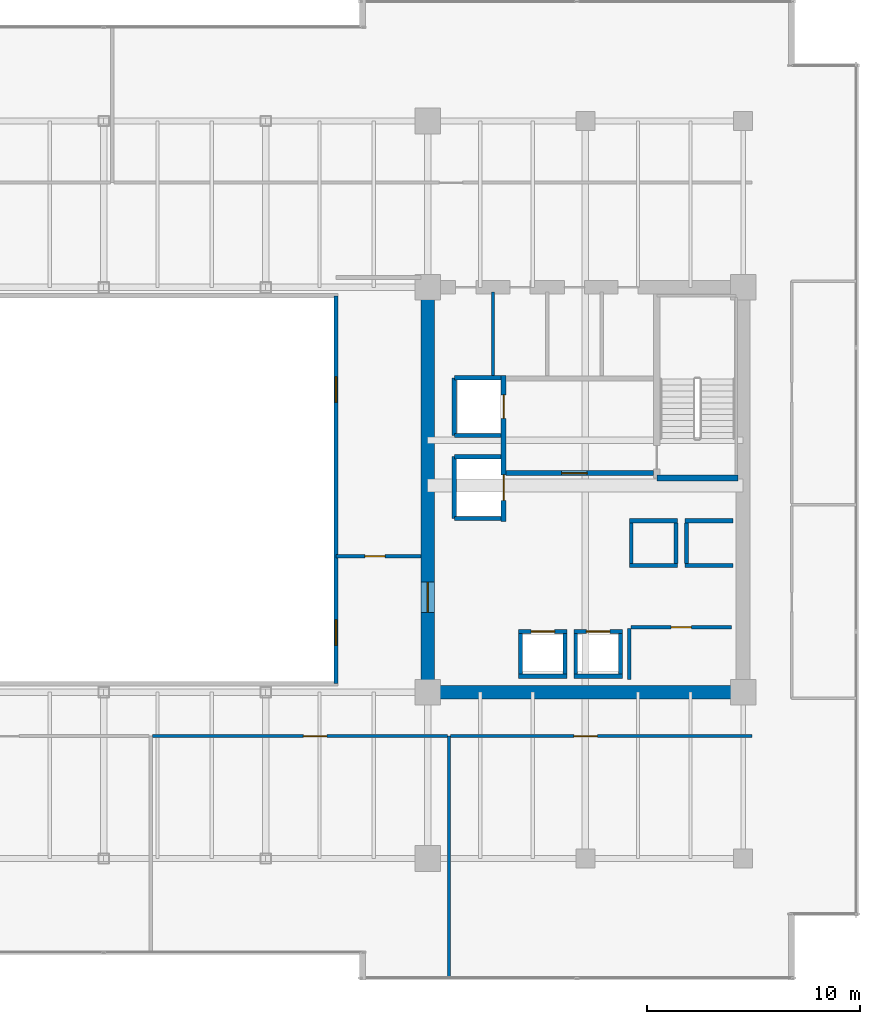
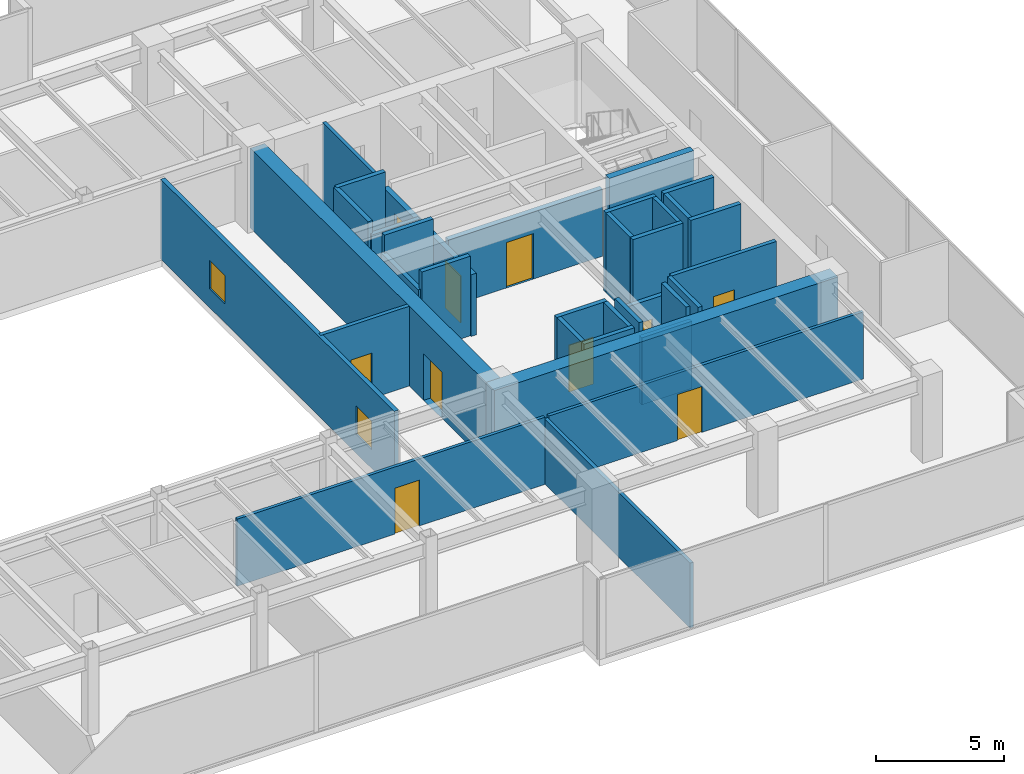
# One storey, part 26 of 30: 34 walls, 10 doors, 2 windows, 12 openings.
"""IFC4 building model written with IfcOpenShell, lengths in metres."""

from ifc_helpers import new_model, si_unit, direction, frame, frame_2d, origin, place, context, subcontext, project, spatial, rectangle, extrude, source, transform, mapped, material, layer, layer_set, type_object, type_shapes, element, fill, save


model = new_model("IFC4")

# Units and contexts
model_context = context("Model", 3, precision=1e-05, world=origin(), true_north=direction((0.0, 1.0)))
body_context = subcontext(model_context, "Body", "Model", "MODEL_VIEW")
ifc_project = project(units=[si_unit("LENGTHUNIT", "METRE"), si_unit("AREAUNIT", "SQUARE_METRE"), si_unit("VOLUMEUNIT", "CUBIC_METRE"), si_unit("PLANEANGLEUNIT", "RADIAN"), si_unit("MASSUNIT", "GRAM", prefix="KILO")], contexts=[model_context])

# Site, building, storey
site_placement = place(None, origin())
site = spatial("IfcSite", under=ifc_project, at=site_placement, CompositionType="ELEMENT")
building_placement = place(site_placement, origin())
building = spatial("IfcBuilding", under=site, at=building_placement, Name="Haelvirn Gate Laboratories", CompositionType="ELEMENT")
storey_placement = place(building_placement, frame((0.0, 0.0, 187.10009765625)))
storey = spatial("IfcBuildingStorey", under=building, at=storey_placement, Name="L45", CompositionType="ELEMENT", Elevation=187.10009765625)

# Wall
ifc_material_1 = material(Name="Double-layer acoustic gypsum laboratory partition", Category="gypsum")
ifc_layer_1 = layer(ifc_material_1, 0.159912109375, Name="IW-ACOUST-160")
ifc_layer_set_1 = layer_set([ifc_layer_1], Name="Double-layer acoustic gypsum laboratory partition")
wall_type_1 = type_object("IfcWallType", Name="IW-ACOUST-160", PredefinedType="PARTITIONING", material=ifc_layer_set_1)
wall_1_placement = place(storey_placement, frame((53.60009765625, 1.409912109375, 0.0), z_axis=(0.0, 0.0, 1.0), x_axis=(0.0, 1.0, 0.0)))
element("IfcWall", 1, at=wall_1_placement, inside=storey, type_object=wall_type_1, Name="L45 Interior Wall IW-L45-SDIV-04", PredefinedType="PARTITIONING", context=body_context, shape_type="SweptSolid", body=[
    extrude(rectangle(XDim=11.330078125, YDim=0.159912109375, at=frame_2d((5.6650390625, 0.0))), origin(), (0.0, 0.0, 1.0), 3.074951171875),
])

# Wall, opening, door
ifc_material_2 = material(Name="Fire-rated acoustic gypsum board partition", Category="gypsum")
ifc_layer_2 = layer(ifc_material_2, 0.175048828125, Name="IW-ACOUST-180")
ifc_layer_set_2 = layer_set([ifc_layer_2], Name="Fire-rated acoustic gypsum board partition")
wall_type_2 = type_object("IfcWallType", Name="IW-ACOUST-180", PredefinedType="PARTITIONING", material=ifc_layer_set_2)
wall_2_placement = place(storey_placement, frame((48.300048828125, 21.179931640625, 0.0), z_axis=(0.0, 0.0, 1.0), x_axis=(1.0, 0.0, 0.0)))
wall_2 = element("IfcWall", 2, at=wall_2_placement, inside=storey, type_object=wall_type_2, Name="L45 Interior Wall IW-L45-ASEM-S", PredefinedType="PARTITIONING", context=body_context, shape_type="SweptSolid", body=[
    extrude(rectangle(XDim=3.974853515625, YDim=0.175048828125, at=frame_2d((1.9873046875, 0.0))), origin(), (0.0, 0.0, 1.0), 3.789794921875),
])
opening_1_placement = place(wall_2_placement, frame((1.35009765625, 0.0, 0.0)))
opening_1 = element("IfcOpeningElement", 3, at=opening_1_placement, cuts=wall_2, Name="Opening FD4", PredefinedType="OPENING", context=body_context, shape_type="SweptSolid", body=[
    extrude(rectangle(XDim=0.949951171875, YDim=2.14990234375, at=frame_2d((0.47509765625, 1.074951171875))), frame((0.0, 0.09765625, 0.0), z_axis=(0.0, -1.0, 0.0), x_axis=(1.0, 0.0, 0.0)), (0.0, 0.0, 1.0), 0.195068359375),
])
ifc_material_3 = material(Name="Fire-rated steel SM355 core service door", Category="steel")
door_type_1 = type_object("IfcDoorType", Name="DR-FD-950", OperationType="NOTDEFINED", PredefinedType="DOOR", material=ifc_material_3)
shared_shape_1 = source(origin(), body_context, "Body", "SweptSolid", [
    extrude(rectangle(XDim=0.949951171875, YDim=2.14990234375, at=frame_2d((0.47509765625, 1.074951171875))), frame((0.0, 0.02490234375, 0.0), z_axis=(0.0, -1.0, 0.0), x_axis=(1.0, 0.0, 0.0)), (0.0, 0.0, 1.0), 0.050048828125),
])
type_shapes(door_type_1, [shared_shape_1])
door_1_placement = place(opening_1_placement, origin())
door_1 = element("IfcDoor", 4, at=door_1_placement, inside=storey, type_object=door_type_1, Name="L45 Atrium Bioinformatics Suite Door", OperationType="SINGLE_SWING_LEFT", OverallHeight=2.14990234375, OverallWidth=0.949951171875, PredefinedType="DOOR", context=body_context, shape_type="MappedRepresentation", body=[
    mapped(shared_shape_1, transform((0.0, 0.0, 0.0), scale=1.0)),
])
fill(opening_1, door_1)

# Wall, openings, windows
ifc_material_4 = material(Name="Tempered fire-rated borosilicate glass & anodised aluminium", Category="aluminium")
ifc_layer_3 = layer(ifc_material_4, 0.195068359375, Name="IW-GLAZ-200")
ifc_layer_set_3 = layer_set([ifc_layer_3], Name="Tempered fire-rated borosilicate glass & anodised aluminium")
wall_type_3 = type_object("IfcWallType", Name="IW-GLAZ-200", PredefinedType="SOLIDWALL", material=ifc_layer_set_3)
wall_3_placement = place(storey_placement, frame((48.300048828125, 15.199951171875, 0.0), z_axis=(0.0, 0.0, 1.0), x_axis=(0.0, 1.0, 0.0)))
wall_3 = element("IfcWall", 5, at=wall_3_placement, inside=storey, type_object=wall_type_3, Name="L45 Interior Wall IW-L45-ATRIUM-E", PredefinedType="SOLIDWALL", context=body_context, shape_type="SweptSolid", body=[
    extrude(rectangle(XDim=18.199951171875, YDim=0.195068359375, at=frame_2d((9.10009765625, 0.0))), origin(), (0.0, 0.0, 1.0), 3.789794921875),
])
opening_2_placement = place(wall_3_placement, frame((1.800048828125, 0.0, 0.89990234375)))
opening_2 = element("IfcOpeningElement", 6, at=opening_2_placement, cuts=wall_3, Name="Opening W6", PredefinedType="OPENING", context=body_context, shape_type="SweptSolid", body=[
    extrude(rectangle(XDim=1.199951171875, YDim=1.35009765625, at=frame_2d((0.60009765625, 0.675048828125))), frame((0.0, 0.107421875, 0.0), z_axis=(0.0, -1.0, 0.0), x_axis=(1.0, 0.0, 0.0)), (0.0, 0.0, 1.0), 0.215087890625),
])
opening_3_placement = place(wall_3_placement, frame((13.199951171875, 0.0, 0.89990234375)))
opening_3 = element("IfcOpeningElement", 7, at=opening_3_placement, cuts=wall_3, Name="Opening W6", PredefinedType="OPENING", context=body_context, shape_type="SweptSolid", body=[
    extrude(rectangle(XDim=1.199951171875, YDim=1.35009765625, at=frame_2d((0.60009765625, 0.675048828125))), frame((0.0, 0.107421875, 0.0), z_axis=(0.0, -1.0, 0.0), x_axis=(1.0, 0.0, 0.0)), (0.0, 0.0, 1.0), 0.215087890625),
])
ifc_material_5 = material(Name="Fire-rated EI 120 borosilicate atrium vision glazing", Category="glass")
window_type = type_object("IfcWindowType", Name="WN-ATR-1200", PartitioningType="SINGLE_PANEL", PredefinedType="WINDOW", material=ifc_material_5)
shared_shape_2 = source(origin(), body_context, "Body", "SweptSolid", [
    extrude(rectangle(XDim=1.199951171875, YDim=1.35009765625, at=frame_2d((0.60009765625, 0.675048828125))), frame((0.0, 0.030029296875, 0.0), z_axis=(0.0, -1.0, 0.0), x_axis=(1.0, 0.0, 0.0)), (0.0, 0.0, 1.0), 0.06005859375),
])
type_shapes(window_type, [shared_shape_2])
window_1_placement = place(opening_2_placement, origin())
window_1 = element("IfcWindow", 8, at=window_1_placement, inside=storey, type_object=window_type, Name="L45 Atrium Observation Window 1", OverallHeight=1.35009765625, OverallWidth=1.199951171875, PartitioningType="SINGLE_PANEL", PredefinedType="WINDOW", context=body_context, shape_type="MappedRepresentation", body=[
    mapped(shared_shape_2, transform((0.0, 0.0, 0.0), scale=1.0)),
])
fill(opening_2, window_1)
window_2_placement = place(opening_3_placement, origin())
window_2 = element("IfcWindow", 9, at=window_2_placement, inside=storey, type_object=window_type, Name="L45 Atrium Observation Window 2", OverallHeight=1.35009765625, OverallWidth=1.199951171875, PartitioningType="SINGLE_PANEL", PredefinedType="WINDOW", context=body_context, shape_type="MappedRepresentation", body=[
    mapped(shared_shape_2, transform((0.0, 0.0, 0.0), scale=1.0)),
])
fill(opening_3, window_2)

# Wall, opening, door
ifc_material_6 = material(Name="Acoustic mineral-wool gypsum board partition", Category="gypsum")
ifc_layer_4 = layer(ifc_material_6, 0.139892578125, Name="IW-PART-140")
ifc_layer_set_4 = layer_set([ifc_layer_4], Name="Acoustic mineral-wool gypsum board partition")
wall_type_4 = type_object("IfcWallType", Name="IW-PART-140", PredefinedType="PARTITIONING", material=ifc_layer_set_4)
wall_4_placement = place(storey_placement, frame((39.679931640625, 12.739990234375, 0.0), z_axis=(0.0, 0.0, 1.0), x_axis=(1.0, 0.0, 0.0)))
wall_4 = element("IfcWall", 10, at=wall_4_placement, inside=storey, type_object=wall_type_4, Name="L45 Interior Wall IW-L45-SCORR-04", PredefinedType="PARTITIONING", context=body_context, shape_type="SweptSolid", body=[
    extrude(rectangle(XDim=13.840087890625, YDim=0.139892578125, at=frame_2d((6.919921875, 0.0))), origin(), (0.0, 0.0, 1.0), 3.18701171875),
])
opening_4_placement = place(wall_4_placement, frame((7.09228515625, 0.0, 0.0)))
opening_4 = element("IfcOpeningElement", 11, at=opening_4_placement, cuts=wall_4, Name="Opening D1", PredefinedType="OPENING", context=body_context, shape_type="SweptSolid", body=[
    extrude(rectangle(XDim=1.10009765625, YDim=2.179931640625, at=frame_2d((0.550048828125, 1.08984375))), frame((0.0, 0.080078125, 0.0), z_axis=(0.0, -1.0, 0.0), x_axis=(1.0, 0.0, 0.0)), (0.0, 0.0, 1.0), 0.159912109375),
])
ifc_material_7 = material(Name="Vision-panel acoustic solid-core timber lab door", Category="wood")
door_type_2 = type_object("IfcDoorType", Name="DR-LAB-1100", OperationType="NOTDEFINED", PredefinedType="DOOR", material=ifc_material_7)
shared_shape_3 = source(origin(), body_context, "Body", "SweptSolid", [
    extrude(rectangle(XDim=1.10009765625, YDim=2.179931640625, at=frame_2d((0.550048828125, 1.08984375))), frame((0.0, 0.02490234375, 0.0), z_axis=(0.0, -1.0, 0.0), x_axis=(1.0, 0.0, 0.0)), (0.0, 0.0, 1.0), 0.050048828125),
])
type_shapes(door_type_2, [shared_shape_3])
door_2_placement = place(opening_4_placement, origin())
door_2 = element("IfcDoor", 12, at=door_2_placement, inside=storey, type_object=door_type_2, Name="L45 Cleanroom Metrology Suite Door S4", OperationType="SINGLE_SWING_LEFT", OverallHeight=2.179931640625, OverallWidth=1.10009765625, PredefinedType="DOOR", context=body_context, shape_type="MappedRepresentation", body=[
    mapped(shared_shape_3, transform((0.0, 0.0, 0.0), scale=1.0)),
])
fill(opening_4, door_2)

wall_5_placement = place(storey_placement, frame((53.679931640625, 12.739990234375, 0.0), z_axis=(0.0, 0.0, 1.0), x_axis=(1.0, 0.0, 0.0)))
wall_5 = element("IfcWall", 13, at=wall_5_placement, inside=storey, type_object=wall_type_4, Name="L45 Interior Wall IW-L45-SCORR-05", PredefinedType="PARTITIONING", context=body_context, shape_type="SweptSolid", body=[
    extrude(rectangle(XDim=14.14013671875, YDim=0.139892578125, at=frame_2d((7.070068359375, 0.0))), origin(), (0.0, 0.0, 1.0), 3.18701171875),
])
opening_5_placement = place(wall_5_placement, frame((5.779541015625, 0.0, 0.0)))
opening_5 = element("IfcOpeningElement", 14, at=opening_5_placement, cuts=wall_5, Name="Opening D1", PredefinedType="OPENING", context=body_context, shape_type="SweptSolid", body=[
    extrude(rectangle(XDim=1.10009765625, YDim=2.179931640625, at=frame_2d((0.550048828125, 1.08984375))), frame((0.0, 0.080078125, 0.0), z_axis=(0.0, -1.0, 0.0), x_axis=(1.0, 0.0, 0.0)), (0.0, 0.0, 1.0), 0.159912109375),
])
door_3_placement = place(opening_5_placement, origin())
door_3 = element("IfcDoor", 15, at=door_3_placement, inside=storey, type_object=door_type_2, Name="L45 Cryo-EM Imaging Suite Door S5", OperationType="SINGLE_SWING_RIGHT", OverallHeight=2.179931640625, OverallWidth=1.10009765625, PredefinedType="DOOR", context=body_context, shape_type="MappedRepresentation", body=[
    mapped(shared_shape_3, transform((0.0, 0.0, 0.0), scale=1.0)),
])
fill(opening_5, door_3)

# Walls
ifc_material_8 = material(Name="Cement-board restroom plumbing chase wall", Category="gypsum")
ifc_layer_5 = layer(ifc_material_8, 0.155029296875, Name="IW-PLUMB-160")
ifc_layer_set_5 = layer_set([ifc_layer_5], Name="Cement-board restroom plumbing chase wall")
wall_type_5 = type_object("IfcWallType", Name="IW-PLUMB-160", PredefinedType="PLUMBINGWALL", material=ifc_layer_set_5)
wall_6_placement = place(storey_placement, frame((55.659912109375, 29.64990234375, 0.0), z_axis=(0.0, 0.0, 1.0), x_axis=(0.0, 1.0, 0.0)))
element("IfcWall", 16, at=wall_6_placement, inside=storey, type_object=wall_type_5, Name="L45 Interior Wall IW-L45-E-CDIV-3", PredefinedType="PLUMBINGWALL", context=body_context, shape_type="SweptSolid", body=[
    extrude(rectangle(XDim=3.93017578125, YDim=0.155029296875, at=frame_2d((1.965087890625, 0.0))), origin(), (0.0, 0.0, 1.0), 3.789794921875),
])
ifc_material_9 = material(Name="Concrete C40/50", Category="concrete")
ifc_layer_6 = layer(ifc_material_9, 0.179931640625, Name="IW-SHAFT-180")
ifc_layer_set_6 = layer_set([ifc_layer_6], Name="Concrete C40/50")
wall_type_6 = type_object("IfcWallType", Name="IW-SHAFT-180", PredefinedType="SOLIDWALL", material=ifc_layer_set_6)
for number, where, z_axis, x_axis, name in (
    (17, (59.550048828125, 15.64990234375, 0.0), (0.0, 0.0, 1.0), (0.0, 1.0, 0.0), "L45 Interior Wall IW-L45-PL7-SD"),
    (18, (61.64990234375, 15.64990234375, 0.0), (0.0, 0.0, 1.0), (0.0, 1.0, 0.0), "L45 Interior Wall IW-L45-PL7-SDE"),
    (19, (56.949951171875, 15.64990234375, 0.0), (0.0, 0.0, 1.0), (0.0, 1.0, 0.0), "L45 Interior Wall IW-L45-PL8-SD"),
    (20, (59.050048828125, 15.64990234375, 0.0), (0.0, 0.0, 1.0), (0.0, 1.0, 0.0), "L45 Interior Wall IW-L45-PL8-SDE"),
):
    element("IfcWall", number, at=place(storey_placement, frame(where, z_axis=z_axis, x_axis=x_axis)), inside=storey, type_object=wall_type_6, Name=name, PredefinedType="SOLIDWALL", context=body_context, shape_type="SweptSolid", body=[
        extrude(rectangle(XDim=1.900146484375, YDim=0.179931640625, at=frame_2d((0.9501953125, 0.0))), origin(), (0.0, 0.0, 1.0), 3.789794921875),
    ])
for number, where, z_axis, x_axis, name in (
    (21, (64.75, 20.85009765625, 0.0), (0.0, 0.0, 1.0), (0.0, 1.0, 0.0), "L45 Interior Wall IW-L45-PL11-SD"),
    (22, (62.14990234375, 20.85009765625, 0.0), (0.0, 0.0, 1.0), (0.0, 1.0, 0.0), "L45 Interior Wall IW-L45-PL12-SD"),
    (23, (64.25, 20.85009765625, 0.0), (0.0, 0.0, 1.0), (0.0, 1.0, 0.0), "L45 Interior Wall IW-L45-PL12-SDE"),
):
    element("IfcWall", number, at=place(storey_placement, frame(where, z_axis=z_axis, x_axis=x_axis)), inside=storey, type_object=wall_type_6, Name=name, PredefinedType="SOLIDWALL", context=body_context, shape_type="SweptSolid", body=[
        extrude(rectangle(XDim=1.89990234375, YDim=0.179931640625, at=frame_2d((0.949951171875, 0.0))), origin(), (0.0, 0.0, 1.0), 3.789794921875),
    ])

# Wall, opening, door
wall_7_placement = place(storey_placement, frame((62.14990234375, 17.85009765625, 0.0), z_axis=(0.0, 0.0, 1.0), x_axis=(1.0, 0.0, 0.0)))
wall_7 = element("IfcWall", 24, at=wall_7_placement, inside=storey, type_object=wall_type_6, Name="L45 Interior Wall IW-L45-E-FREED-LN-1", PredefinedType="SOLIDWALL", context=body_context, shape_type="SweptSolid", body=[
    extrude(rectangle(XDim=4.7001953125, YDim=0.179931640625, at=frame_2d((2.35009765625, 0.0))), origin(), (0.0, 0.0, 1.0), 3.789794921875),
])
opening_6_placement = place(wall_7_placement, frame((1.875, 0.0, 0.0)))
opening_6 = element("IfcOpeningElement", 25, at=opening_6_placement, cuts=wall_7, Name="Opening FD4", PredefinedType="OPENING", context=body_context, shape_type="SweptSolid", body=[
    extrude(rectangle(XDim=0.949951171875, YDim=2.14990234375, at=frame_2d((0.47509765625, 1.074951171875))), frame((0.0, 0.10009765625, 0.0), z_axis=(0.0, -1.0, 0.0), x_axis=(1.0, 0.0, 0.0)), (0.0, 0.0, 1.0), 0.199951171875),
])
door_4_placement = place(opening_6_placement, origin())
door_4 = element("IfcDoor", 26, at=door_4_placement, inside=storey, type_object=door_type_1, Name="L45 Autoclave & Glasswash Room Door", OperationType="SINGLE_SWING_LEFT", OverallHeight=2.14990234375, OverallWidth=0.949951171875, PredefinedType="DOOR", context=body_context, shape_type="MappedRepresentation", body=[
    mapped(shared_shape_1, transform((0.0, 0.0, 0.0), scale=1.0)),
])
fill(opening_6, door_4)

# Wall
wall_8_placement = place(storey_placement, frame((62.06005859375, 15.39990234375, 0.0), z_axis=(0.0, 0.0, 1.0), x_axis=(0.0, 1.0, 0.0)))
element("IfcWall", 27, at=wall_8_placement, inside=storey, type_object=wall_type_6, Name="L45 Interior Wall IW-L45-E-FREED-LE-1", PredefinedType="SOLIDWALL", context=body_context, shape_type="SweptSolid", body=[
    extrude(rectangle(XDim=2.400146484375, YDim=0.179931640625, at=frame_2d((1.2001953125, 0.0))), origin(), (0.0, 0.0, 1.0), 3.789794921875),
])

# Wall, opening, door
ifc_layer_7 = layer(ifc_material_9, 0.199951171875, Name="IW-SHAFT-200")
ifc_layer_set_7 = layer_set([ifc_layer_7], Name="Concrete C40/50")
wall_type_7 = type_object("IfcWallType", Name="IW-SHAFT-200", PredefinedType="SOLIDWALL", material=ifc_layer_set_7)
wall_9_placement = place(storey_placement, frame((59.469970703125, 17.64990234375, 0.0), z_axis=(0.0, 0.0, 1.0), x_axis=(1.0, 0.0, 0.0)))
wall_9 = element("IfcWall", 28, at=wall_9_placement, inside=storey, type_object=wall_type_7, Name="L45 Interior Wall IW-L45-PL7-FR", PredefinedType="SOLIDWALL", context=body_context, shape_type="SweptSolid", body=[
    extrude(rectangle(XDim=2.260009765625, YDim=0.199951171875, at=frame_2d((1.1298828125, 0.0))), origin(), (0.0, 0.0, 1.0), 3.18701171875),
])
opening_7_placement = place(wall_9_placement, frame((0.580078125, 0.0, 0.0)))
opening_7 = element("IfcOpeningElement", 29, at=opening_7_placement, cuts=wall_9, Name="Opening LD2", PredefinedType="OPENING", context=body_context, shape_type="SweptSolid", body=[
    extrude(rectangle(XDim=1.10009765625, YDim=2.219970703125, at=frame_2d((0.550048828125, 1.10986328125))), frame((0.0, 0.10986328125, 0.0), z_axis=(0.0, -1.0, 0.0), x_axis=(1.0, 0.0, 0.0)), (0.0, 0.0, 1.0), 0.219970703125),
])
ifc_material_10 = material(Name="Bronze stainless 316L sliding lift landing door")
door_type_3 = type_object("IfcDoorType", Name="DR-LD-1100", OperationType="NOTDEFINED", PredefinedType="USERDEFINED", material=ifc_material_10)
shared_shape_4 = source(origin(), body_context, "Body", "SweptSolid", [
    extrude(rectangle(XDim=1.10009765625, YDim=2.219970703125, at=frame_2d((0.550048828125, 1.10986328125))), frame((0.0, 0.02490234375, 0.0), z_axis=(0.0, -1.0, 0.0), x_axis=(1.0, 0.0, 0.0)), (0.0, 0.0, 1.0), 0.050048828125),
])
type_shapes(door_type_3, [shared_shape_4])
door_5_placement = place(opening_7_placement, origin())
door_5 = element("IfcDoor", 30, at=door_5_placement, inside=storey, type_object=door_type_3, Name="L45 Passenger Lift PL7 Landing Door", ObjectType="LANDING_DOOR", OperationType="SLIDING_TO_LEFT", OverallHeight=2.219970703125, OverallWidth=1.10009765625, PredefinedType="USERDEFINED", context=body_context, shape_type="MappedRepresentation", body=[
    mapped(shared_shape_4, transform((0.0, 0.0, 0.0), scale=1.0)),
])
fill(opening_7, door_5)

# Wall
wall_10_placement = place(storey_placement, frame((59.469970703125, 15.550048828125, 0.0), z_axis=(0.0, 0.0, 1.0), x_axis=(1.0, 0.0, 0.0)))
element("IfcWall", 31, at=wall_10_placement, inside=storey, type_object=wall_type_7, Name="L45 Interior Wall IW-L45-PL7-BK", PredefinedType="SOLIDWALL", context=body_context, shape_type="SweptSolid", body=[
    extrude(rectangle(XDim=2.260009765625, YDim=0.199951171875, at=frame_2d((1.1298828125, 0.0))), origin(), (0.0, 0.0, 1.0), 3.18701171875),
])

# Wall, opening, door
wall_11_placement = place(storey_placement, frame((56.8701171875, 17.64990234375, 0.0), z_axis=(0.0, 0.0, 1.0), x_axis=(1.0, 0.0, 0.0)))
wall_11 = element("IfcWall", 32, at=wall_11_placement, inside=storey, type_object=wall_type_7, Name="L45 Interior Wall IW-L45-PL8-FR", PredefinedType="SOLIDWALL", context=body_context, shape_type="SweptSolid", body=[
    extrude(rectangle(XDim=2.259765625, YDim=0.199951171875, at=frame_2d((1.1298828125, 0.0))), origin(), (0.0, 0.0, 1.0), 3.789794921875),
])
opening_8_placement = place(wall_11_placement, frame((0.580078125, 0.0, 0.0)))
opening_8 = element("IfcOpeningElement", 33, at=opening_8_placement, cuts=wall_11, Name="Opening LD2", PredefinedType="OPENING", context=body_context, shape_type="SweptSolid", body=[
    extrude(rectangle(XDim=1.10009765625, YDim=2.219970703125, at=frame_2d((0.550048828125, 1.10986328125))), frame((0.0, 0.10986328125, 0.0), z_axis=(0.0, -1.0, 0.0), x_axis=(1.0, 0.0, 0.0)), (0.0, 0.0, 1.0), 0.219970703125),
])
door_6_placement = place(opening_8_placement, origin())
door_6 = element("IfcDoor", 34, at=door_6_placement, inside=storey, type_object=door_type_3, Name="L45 Passenger Lift PL8 Landing Door", ObjectType="LANDING_DOOR", OperationType="SLIDING_TO_RIGHT", OverallHeight=2.219970703125, OverallWidth=1.10009765625, PredefinedType="USERDEFINED", context=body_context, shape_type="MappedRepresentation", body=[
    mapped(shared_shape_4, transform((0.0, 0.0, 0.0), scale=1.0)),
])
fill(opening_8, door_6)

# Walls
wall_12_placement = place(storey_placement, frame((56.8701171875, 15.550048828125, 0.0), z_axis=(0.0, 0.0, 1.0), x_axis=(1.0, 0.0, 0.0)))
element("IfcWall", 35, at=wall_12_placement, inside=storey, type_object=wall_type_7, Name="L45 Interior Wall IW-L45-PL8-BK", PredefinedType="SOLIDWALL", context=body_context, shape_type="SweptSolid", body=[
    extrude(rectangle(XDim=2.259765625, YDim=0.199951171875, at=frame_2d((1.1298828125, 0.0))), origin(), (0.0, 0.0, 1.0), 3.789794921875),
])
for number, where, z_axis, x_axis, name in (
    (36, (64.669921875, 20.75, 0.0), (0.0, 0.0, 1.0), (1.0, 0.0, 0.0), "L45 Interior Wall IW-L45-PL11-FR"),
    (37, (64.669921875, 22.85009765625, 0.0), (0.0, 0.0, 1.0), (1.0, 0.0, 0.0), "L45 Interior Wall IW-L45-PL11-BK"),
    (38, (62.070068359375, 20.75, 0.0), (0.0, 0.0, 1.0), (1.0, 0.0, 0.0), "L45 Interior Wall IW-L45-PL12-FR"),
    (39, (62.070068359375, 22.85009765625, 0.0), (0.0, 0.0, 1.0), (1.0, 0.0, 0.0), "L45 Interior Wall IW-L45-PL12-BK"),
):
    element("IfcWall", number, at=place(storey_placement, frame(where, z_axis=z_axis, x_axis=x_axis)), inside=storey, type_object=wall_type_7, Name=name, PredefinedType="SOLIDWALL", context=body_context, shape_type="SweptSolid", body=[
        extrude(rectangle(XDim=2.260009765625, YDim=0.199951171875, at=frame_2d((1.1298828125, 0.0))), origin(), (0.0, 0.0, 1.0), 3.789794921875),
    ])
wall_13_placement = place(storey_placement, frame((53.85009765625, 26.85009765625, 0.0), z_axis=(0.0, 0.0, 1.0), x_axis=(0.0, 1.0, 0.0)))
element("IfcWall", 40, at=wall_13_placement, inside=storey, type_object=wall_type_7, Name="L45 Interior Wall IW-L45-FL2-BK", PredefinedType="SOLIDWALL", context=body_context, shape_type="SweptSolid", body=[
    extrude(rectangle(XDim=2.699951171875, YDim=0.199951171875, at=frame_2d((1.35009765625, 0.0))), origin(), (0.0, 0.0, 1.0), 3.789794921875),
])
wall_14_placement = place(storey_placement, frame((53.85009765625, 29.550048828125, 0.0), z_axis=(0.0, 0.0, 1.0), x_axis=(1.0, 0.0, 0.0)))
element("IfcWall", 41, at=wall_14_placement, inside=storey, type_object=wall_type_7, Name="L45 Interior Wall IW-L45-FL2-N", PredefinedType="SOLIDWALL", context=body_context, shape_type="SweptSolid", body=[
    extrude(rectangle(XDim=2.18994140625, YDim=0.199951171875, at=frame_2d((1.094970703125, 0.0))), origin(), (0.0, 0.0, 1.0), 3.789794921875),
])
wall_15_placement = place(storey_placement, frame((53.85009765625, 26.85009765625, 0.0), z_axis=(0.0, 0.0, 1.0), x_axis=(1.0, 0.0, 0.0)))
element("IfcWall", 42, at=wall_15_placement, inside=storey, type_object=wall_type_7, Name="L45 Interior Wall IW-L45-FL2-S", PredefinedType="SOLIDWALL", context=body_context, shape_type="SweptSolid", body=[
    extrude(rectangle(XDim=2.18994140625, YDim=0.199951171875, at=frame_2d((1.094970703125, 0.0))), origin(), (0.0, 0.0, 1.0), 3.18701171875),
])
wall_16_placement = place(storey_placement, frame((53.85009765625, 22.949951171875, 0.0), z_axis=(0.0, 0.0, 1.0), x_axis=(0.0, 1.0, 0.0)))
element("IfcWall", 43, at=wall_16_placement, inside=storey, type_object=wall_type_7, Name="L45 Interior Wall IW-L45-SL2-BK", PredefinedType="SOLIDWALL", context=body_context, shape_type="SweptSolid", body=[
    extrude(rectangle(XDim=2.900146484375, YDim=0.199951171875, at=frame_2d((1.4501953125, 0.0))), origin(), (0.0, 0.0, 1.0), 2.9248046875),
])
for number, where, z_axis, x_axis, name in (
    (44, (53.85009765625, 25.85009765625, 0.0), (0.0, 0.0, 1.0), (1.0, 0.0, 0.0), "L45 Interior Wall IW-L45-SL2-N"),
    (45, (53.85009765625, 22.949951171875, 0.0), (0.0, 0.0, 1.0), (1.0, 0.0, 0.0), "L45 Interior Wall IW-L45-SL2-S"),
):
    element("IfcWall", number, at=place(storey_placement, frame(where, z_axis=z_axis, x_axis=x_axis)), inside=storey, type_object=wall_type_7, Name=name, PredefinedType="SOLIDWALL", context=body_context, shape_type="SweptSolid", body=[
        extrude(rectangle(XDim=2.18994140625, YDim=0.199951171875, at=frame_2d((1.094970703125, 0.0))), origin(), (0.0, 0.0, 1.0), 3.789794921875),
    ])

# Wall, opening, door
ifc_layer_8 = layer(ifc_material_9, 0.239990234375, Name="IW-SHAFT-240")
ifc_layer_set_8 = layer_set([ifc_layer_8], Name="Concrete C40/50")
wall_type_8 = type_object("IfcWallType", Name="IW-SHAFT-240", PredefinedType="SOLIDWALL", material=ifc_layer_set_8)
wall_17_placement = place(storey_placement, frame((56.280029296875, 25.080078125, 0.0), z_axis=(0.0, 0.0, 1.0), x_axis=(1.0, 0.0, 0.0)))
wall_17 = element("IfcWall", 46, at=wall_17_placement, inside=storey, type_object=wall_type_8, Name="L45 Interior Wall IW-L45-E-FF-S", PredefinedType="SOLIDWALL", context=body_context, shape_type="SweptSolid", body=[
    extrude(rectangle(XDim=6.919921875, YDim=0.239990234375, at=frame_2d((3.4599609375, 0.0))), origin(), (0.0, 0.0, 1.0), 3.18701171875),
])
opening_9_placement = place(wall_17_placement, frame((2.60009765625, 0.0, 0.0)))
opening_9 = element("IfcOpeningElement", 47, at=opening_9_placement, cuts=wall_17, Name="Opening FD2", PredefinedType="OPENING", context=body_context, shape_type="SweptSolid", body=[
    extrude(rectangle(XDim=1.199951171875, YDim=2.159912109375, at=frame_2d((0.60009765625, 1.080078125))), frame((0.0, 0.1298828125, 0.0), z_axis=(0.0, -1.0, 0.0), x_axis=(1.0, 0.0, 0.0)), (0.0, 0.0, 1.0), 0.260009765625),
])
ifc_material_11 = material(Name="Fire-rated steel SM355 compartment door", Category="steel")
door_type_4 = type_object("IfcDoorType", Name="DR-FD-1200", OperationType="NOTDEFINED", PredefinedType="DOOR", material=ifc_material_11)
shared_shape_5 = source(origin(), body_context, "Body", "SweptSolid", [
    extrude(rectangle(XDim=1.199951171875, YDim=2.159912109375, at=frame_2d((0.60009765625, 1.080078125))), frame((0.0, 0.02490234375, 0.0), z_axis=(0.0, -1.0, 0.0), x_axis=(1.0, 0.0, 0.0)), (0.0, 0.0, 1.0), 0.050048828125),
])
type_shapes(door_type_4, [shared_shape_5])
door_7_placement = place(opening_9_placement, origin())
door_7 = element("IfcDoor", 48, at=door_7_placement, inside=storey, type_object=door_type_4, Name="L45 East Firefighting Lobby Door", OperationType="SINGLE_SWING_LEFT", OverallHeight=2.159912109375, OverallWidth=1.199951171875, PredefinedType="DOOR", context=body_context, shape_type="MappedRepresentation", body=[
    mapped(shared_shape_5, transform((0.0, 0.0, 0.0), scale=1.0)),
])
fill(opening_9, door_7)

# Wall, openings, doors
wall_18_placement = place(storey_placement, frame((56.159912109375, 22.800048828125, 0.0), z_axis=(0.0, 0.0, 1.0), x_axis=(0.0, 1.0, 0.0)))
wall_18 = element("IfcWall", 49, at=wall_18_placement, inside=storey, type_object=wall_type_8, Name="L45 Interior Wall IW-L45-E-FF-E", PredefinedType="SOLIDWALL", context=body_context, shape_type="SweptSolid", body=[
    extrude(rectangle(XDim=6.849853515625, YDim=0.239990234375, at=frame_2d((3.4248046875, 0.0))), origin(), (0.0, 0.0, 1.0), 2.9248046875),
])
opening_10_placement = place(wall_18_placement, frame((4.85009765625, 0.0, 0.0)))
opening_10 = element("IfcOpeningElement", 50, at=opening_10_placement, cuts=wall_18, Name="Opening LD2", PredefinedType="OPENING", context=body_context, shape_type="SweptSolid", body=[
    extrude(rectangle(XDim=1.10009765625, YDim=2.219970703125, at=frame_2d((0.550048828125, 1.10986328125))), frame((0.0, 0.1298828125, 0.0), z_axis=(0.0, -1.0, 0.0), x_axis=(1.0, 0.0, 0.0)), (0.0, 0.0, 1.0), 0.260009765625),
])
opening_11_placement = place(wall_18_placement, frame((1.0, 0.0, 0.0)))
opening_11 = element("IfcOpeningElement", 51, at=opening_11_placement, cuts=wall_18, Name="Opening LD1", PredefinedType="OPENING", context=body_context, shape_type="SweptSolid", body=[
    extrude(rectangle(XDim=1.199951171875, YDim=2.219970703125, at=frame_2d((0.60009765625, 1.10986328125))), frame((0.0, 0.1298828125, 0.0), z_axis=(0.0, -1.0, 0.0), x_axis=(1.0, 0.0, 0.0)), (0.0, 0.0, 1.0), 0.260009765625),
])
door_8_placement = place(opening_10_placement, origin())
door_8 = element("IfcDoor", 52, at=door_8_placement, inside=storey, type_object=door_type_3, Name="L45 Firefighting Lift FL2 Landing Door", ObjectType="LANDING_DOOR", OperationType="SLIDING_TO_RIGHT", OverallHeight=2.219970703125, OverallWidth=1.10009765625, PredefinedType="USERDEFINED", context=body_context, shape_type="MappedRepresentation", body=[
    mapped(shared_shape_4, transform((0.0, 0.0, 0.0), scale=1.0)),
])
fill(opening_10, door_8)
ifc_material_12 = material(Name="Stainless steel 316L sliding goods landing door", Category="steel")
door_type_5 = type_object("IfcDoorType", Name="DR-LD-1200", OperationType="NOTDEFINED", PredefinedType="USERDEFINED", material=ifc_material_12)
shared_shape_6 = source(origin(), body_context, "Body", "SweptSolid", [
    extrude(rectangle(XDim=1.199951171875, YDim=2.219970703125, at=frame_2d((0.60009765625, 1.10986328125))), frame((0.0, 0.02490234375, 0.0), z_axis=(0.0, -1.0, 0.0), x_axis=(1.0, 0.0, 0.0)), (0.0, 0.0, 1.0), 0.050048828125),
])
type_shapes(door_type_5, [shared_shape_6])
door_9_placement = place(opening_11_placement, origin())
door_9 = element("IfcDoor", 53, at=door_9_placement, inside=storey, type_object=door_type_5, Name="L45 Service Lift SL2 Landing Door", ObjectType="LANDING_DOOR", OperationType="SLIDING_TO_LEFT", OverallHeight=2.219970703125, OverallWidth=1.199951171875, PredefinedType="USERDEFINED", context=body_context, shape_type="MappedRepresentation", body=[
    mapped(shared_shape_6, transform((0.0, 0.0, 0.0), scale=1.0)),
])
fill(opening_11, door_9)

# Wall
ifc_material_13 = material(Name="Concrete C60/75", Category="concrete")
ifc_layer_9 = layer(ifc_material_13, 0.64990234375, Name="SW-CORE-650")
ifc_layer_set_9 = layer_set([ifc_layer_9], Name="Concrete C60/75")
wall_type_9 = type_object("IfcWallType", Name="SW-CORE-650", PredefinedType="SHEAR", material=ifc_layer_set_9)
wall_19_placement = place(storey_placement, frame((52.27490234375, 14.800048828125, 0.0), z_axis=(0.0, 0.0, 1.0), x_axis=(1.0, 0.0, 0.0)))
element("IfcWall", 54, at=wall_19_placement, inside=storey, type_object=wall_type_9, Name="L45 E Core Shear Wall S", PredefinedType="SHEAR", context=body_context, shape_type="SweptSolid", body=[
    extrude(rectangle(XDim=15.4501953125, YDim=0.64990234375, at=frame_2d((7.72509765625, 0.0))), origin(), (0.0, 0.0, 1.0), 3.789794921875),
])

# Wall, opening, door
wall_20_placement = place(storey_placement, frame((52.60009765625, 15.125, 0.0), z_axis=(0.0, 0.0, 1.0), x_axis=(0.0, 1.0, 0.0)))
wall_20 = element("IfcWall", 55, at=wall_20_placement, inside=storey, type_object=wall_type_9, Name="L45 E Core Shear Wall W", PredefinedType="SHEAR", context=body_context, shape_type="SweptSolid", body=[
    extrude(rectangle(XDim=18.35009765625, YDim=0.64990234375, at=frame_2d((9.175048828125, 0.0))), origin(), (0.0, 0.0, 1.0), 3.789794921875),
])
opening_12_placement = place(wall_20_placement, frame((3.425048828125, 0.0, 0.0)))
opening_12 = element("IfcOpeningElement", 56, at=opening_12_placement, cuts=wall_20, Name="Opening FD1", PredefinedType="OPENING", context=body_context, shape_type="SweptSolid", body=[
    extrude(rectangle(XDim=1.419921875, YDim=2.199951171875, at=frame_2d((0.7099609375, 1.10009765625))), frame((0.0, 0.3349609375, 0.0), z_axis=(0.0, -1.0, 0.0), x_axis=(1.0, 0.0, 0.0)), (0.0, 0.0, 1.0), 0.669921875),
])
ifc_material_14 = material(Name="Fire-rated double steel SM355 lobby door", Category="steel")
door_type_6 = type_object("IfcDoorType", Name="DR-FD-1400", OperationType="NOTDEFINED", PredefinedType="DOOR", material=ifc_material_14)
shared_shape_7 = source(origin(), body_context, "Body", "SweptSolid", [
    extrude(rectangle(XDim=1.419921875, YDim=2.199951171875, at=frame_2d((0.7099609375, 1.10009765625))), frame((0.0, 0.02490234375, 0.0), z_axis=(0.0, -1.0, 0.0), x_axis=(1.0, 0.0, 0.0)), (0.0, 0.0, 1.0), 0.050048828125),
])
type_shapes(door_type_6, [shared_shape_7])
door_10_placement = place(opening_12_placement, origin())
door_10 = element("IfcDoor", 57, at=door_10_placement, inside=storey, type_object=door_type_6, Name="L45 East Core Lift Lobby Fire Door", OperationType="DOUBLE_DOOR_SINGLE_SWING", OverallHeight=2.199951171875, OverallWidth=1.419921875, PredefinedType="DOOR", context=body_context, shape_type="MappedRepresentation", body=[
    mapped(shared_shape_7, transform((0.0, 0.0, 0.0), scale=1.0)),
])
fill(opening_12, door_10)

# Wall
ifc_material_15 = material(Name="Concrete C50/60", Category="concrete")
ifc_layer_10 = layer(ifc_material_15, 0.300048828125, Name="SW-STAIR-300")
ifc_layer_set_10 = layer_set([ifc_layer_10], Name="Concrete C50/60")
wall_type_10 = type_object("IfcWallType", Name="SW-STAIR-300", PredefinedType="SHEAR", material=ifc_layer_set_10)
wall_21_placement = place(storey_placement, frame((63.35009765625, 24.85009765625, 0.0), z_axis=(0.0, 0.0, 1.0), x_axis=(1.0, 0.0, 0.0)))
element("IfcWall", 58, at=wall_21_placement, inside=storey, type_object=wall_type_10, Name="L45 E Core Stair Shaft Structural Wall S", PredefinedType="SHEAR", context=body_context, shape_type="SweptSolid", body=[
    extrude(rectangle(XDim=3.7998046875, YDim=0.300048828125, at=frame_2d((1.89990234375, 0.0))), origin(), (0.0, 0.0, 1.0), 3.789794921875),
])

save(model, "model.ifc")
